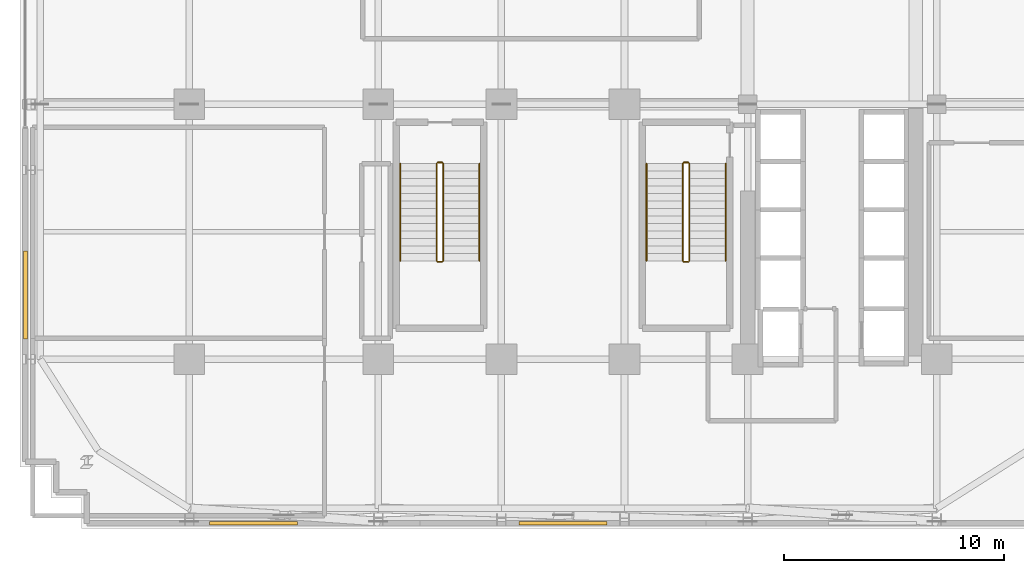
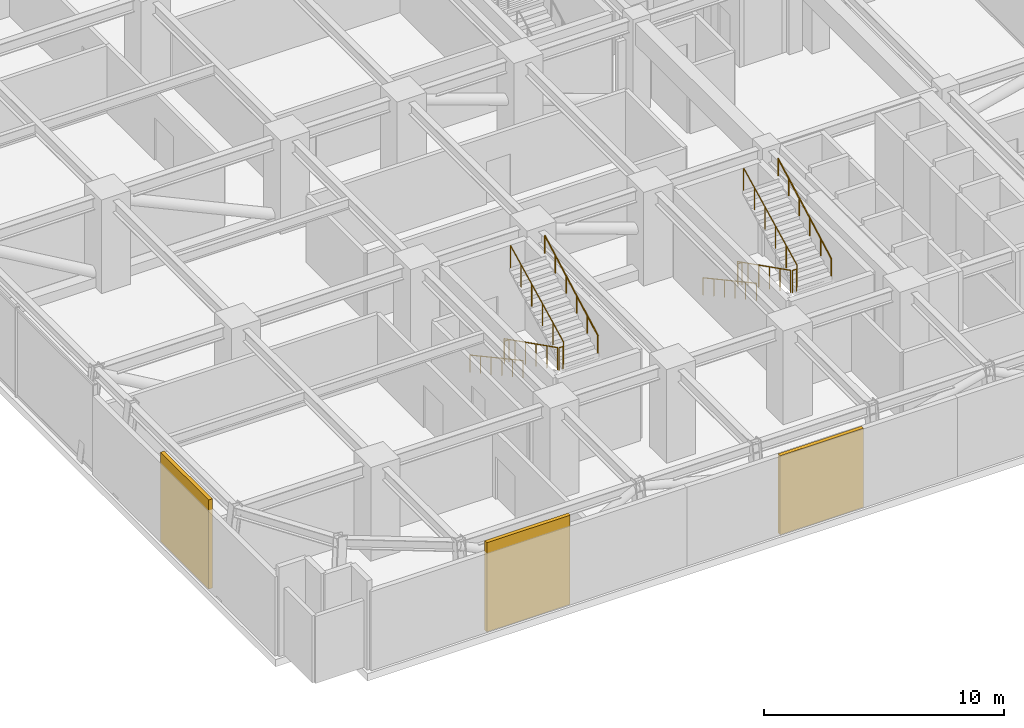
# One storey, part 14 of 17: 12 railings, 3 shading devices.
"""IFC4 building model written with IfcOpenShell, lengths in metres."""

from ifc_helpers import new_model, si_unit, direction, frame, origin, origin_2d, place, context, subcontext, project, spatial, rectangle, circle, extrude, source, transform, mapped, material, layer, layer_set, type_object, element, save


model = new_model("IFC4")

# Units and contexts
model_context = context("Model", 3, precision=1e-05, world=origin(), true_north=direction((0.0, 1.0)))
body_context = subcontext(model_context, "Body", "Model", "MODEL_VIEW")
ifc_project = project(units=[si_unit("LENGTHUNIT", "METRE"), si_unit("AREAUNIT", "SQUARE_METRE"), si_unit("VOLUMEUNIT", "CUBIC_METRE"), si_unit("PLANEANGLEUNIT", "RADIAN"), si_unit("MASSUNIT", "GRAM", prefix="KILO")], contexts=[model_context])

# Site, building, storey
site_placement = place(None, origin())
site = spatial("IfcSite", under=ifc_project, at=site_placement, CompositionType="ELEMENT")
building_placement = place(site_placement, origin())
building = spatial("IfcBuilding", under=site, at=building_placement, Name="Nahalor Promenade Grand Hotel", CompositionType="ELEMENT")
storey_placement = place(building_placement, frame((0.0, 0.0, 83.5)))
storey = spatial("IfcBuildingStorey", under=building, at=storey_placement, Name="L20", CompositionType="ELEMENT", Elevation=83.5)

# Railings
ifc_material_1 = material(Name="Steel S355JR", Category="steel")
railing_type_1 = type_object("IfcRailingType", Name="Steel Stair Guardrail 1150 mm", PredefinedType="GUARDRAIL", material=ifc_material_1)
railing_1_placement = place(storey_placement, frame((5.449951171875, -8.10009765625, 0.17138671875)))
element("IfcRailing", 1, at=railing_1_placement, inside=storey, type_object=railing_type_1, Name="L20 ST2 stair guard 1", PredefinedType="GUARDRAIL", context=body_context, shape_type="SweptSolid", body=[
    extrude(circle(Radius=0.024048, at=origin_2d()), frame((0.0, 0.0, 1.1259765625), z_axis=(0.0, -0.89292277971, 0.450209850486), x_axis=(1.0, 0.0, 0.0)), (0.0, 0.0, 1.0), 4.949951171875),
    extrude(circle(Radius=0.020996, at=origin_2d()), origin(), (0.0, 0.0, 1.0), 1.099853515625),
    extrude(circle(Radius=0.020996, at=origin_2d()), frame((0.0, -0.884033203125, 0.44580078125)), (0.0, 0.0, 1.0), 1.099853515625),
    extrude(circle(Radius=0.020996, at=origin_2d()), frame((0.0, -1.76806640625, 0.891357421875)), (0.0, 0.0, 1.0), 1.099853515625),
    extrude(circle(Radius=0.020996, at=origin_2d()), frame((0.0, -2.65185546875, 1.337158203125)), (0.0, 0.0, 1.0), 1.099853515625),
    extrude(circle(Radius=0.020996, at=origin_2d()), frame((0.0, -3.535888671875, 1.78271484375)), (0.0, 0.0, 1.0), 1.099853515625),
    extrude(circle(Radius=0.020996, at=origin_2d()), frame((0.0, -4.419921875, 2.228515625)), (0.0, 0.0, 1.0), 1.099853515625),
])
railing_2_placement = place(storey_placement, frame((5.5, -12.570068359375, 2.39990234375)))
element("IfcRailing", 2, at=railing_2_placement, inside=storey, type_object=railing_type_1, Name="L20 ST2 stair guard 2", PredefinedType="GUARDRAIL", context=body_context, shape_type="SweptSolid", body=[
    extrude(circle(Radius=0.024048, at=origin_2d()), frame((0.0, 0.0, 1.1259765625), z_axis=(1.0, 0.0, 0.0), x_axis=(0.0, 1.0, 0.0)), (0.0, 0.0, 1.0), 0.199951171875),
    extrude(circle(Radius=0.020996, at=origin_2d()), origin(), (0.0, 0.0, 1.0), 1.099853515625),
    extrude(circle(Radius=0.020996, at=origin_2d()), frame((0.199951171875, 0.0, 0.0)), (0.0, 0.0, 1.0), 1.099853515625),
])
railing_3_placement = place(storey_placement, frame((5.75, -12.52001953125, 2.571533203125)))
element("IfcRailing", 3, at=railing_3_placement, inside=storey, type_object=railing_type_1, Name="L20 ST2 stair guard 3", PredefinedType="GUARDRAIL", context=body_context, shape_type="SweptSolid", body=[
    extrude(circle(Radius=0.024048, at=origin_2d()), frame((0.0, 0.0, 1.1259765625), z_axis=(0.0, 0.89292277971, 0.450209850486), x_axis=(-1.0, 0.0, 0.0)), (0.0, 0.0, 1.0), 4.949951171875),
    extrude(circle(Radius=0.020996, at=origin_2d()), origin(), (0.0, 0.0, 1.0), 1.099853515625),
    extrude(circle(Radius=0.020996, at=origin_2d()), frame((0.0, 0.884033203125, 0.44580078125)), (0.0, 0.0, 1.0), 1.099853515625),
    extrude(circle(Radius=0.020996, at=origin_2d()), frame((0.0, 1.76806640625, 0.891357421875)), (0.0, 0.0, 1.0), 1.099853515625),
    extrude(circle(Radius=0.020996, at=origin_2d()), frame((0.0, 2.65185546875, 1.337158203125)), (0.0, 0.0, 1.0), 1.099853515625),
    extrude(circle(Radius=0.020996, at=origin_2d()), frame((0.0, 3.535888671875, 1.78271484375)), (0.0, 0.0, 1.0), 1.099853515625),
    extrude(circle(Radius=0.020996, at=origin_2d()), frame((0.0, 4.419921875, 2.228515625)), (0.0, 0.0, 1.0), 1.099853515625),
])
railing_4_placement = place(storey_placement, frame((5.5, -8.050048828125, 0.0)))
element("IfcRailing", 4, at=railing_4_placement, inside=storey, type_object=railing_type_1, Name="L20 ST2 stair guard 4", PredefinedType="GUARDRAIL", context=body_context, shape_type="SweptSolid", body=[
    extrude(circle(Radius=0.024048, at=origin_2d()), frame((0.0, 0.0, 1.1259765625), z_axis=(1.0, 0.0, 0.0), x_axis=(0.0, 1.0, 0.0)), (0.0, 0.0, 1.0), 0.199951171875),
    extrude(circle(Radius=0.020996, at=origin_2d()), origin(), (0.0, 0.0, 1.0), 1.099853515625),
    extrude(circle(Radius=0.020996, at=origin_2d()), frame((0.199951171875, 0.0, 0.0)), (0.0, 0.0, 1.0), 1.099853515625),
])
railing_5_placement = place(storey_placement, frame((-5.75, -8.10009765625, 0.17138671875)))
element("IfcRailing", 5, at=railing_5_placement, inside=storey, type_object=railing_type_1, Name="L20 ST3 stair guard 1", PredefinedType="GUARDRAIL", context=body_context, shape_type="SweptSolid", body=[
    extrude(circle(Radius=0.024048, at=origin_2d()), frame((0.0, 0.0, 1.1259765625), z_axis=(0.0, -0.89292277971, 0.450209850486), x_axis=(1.0, 0.0, 0.0)), (0.0, 0.0, 1.0), 4.949951171875),
    extrude(circle(Radius=0.020996, at=origin_2d()), origin(), (0.0, 0.0, 1.0), 1.099853515625),
    extrude(circle(Radius=0.020996, at=origin_2d()), frame((0.0, -0.884033203125, 0.44580078125)), (0.0, 0.0, 1.0), 1.099853515625),
    extrude(circle(Radius=0.020996, at=origin_2d()), frame((0.0, -1.76806640625, 0.891357421875)), (0.0, 0.0, 1.0), 1.099853515625),
    extrude(circle(Radius=0.020996, at=origin_2d()), frame((0.0, -2.65185546875, 1.337158203125)), (0.0, 0.0, 1.0), 1.099853515625),
    extrude(circle(Radius=0.020996, at=origin_2d()), frame((0.0, -3.535888671875, 1.78271484375)), (0.0, 0.0, 1.0), 1.099853515625),
    extrude(circle(Radius=0.020996, at=origin_2d()), frame((0.0, -4.419921875, 2.228515625)), (0.0, 0.0, 1.0), 1.099853515625),
])
railing_6_placement = place(storey_placement, frame((-5.699951171875, -12.570068359375, 2.39990234375)))
element("IfcRailing", 6, at=railing_6_placement, inside=storey, type_object=railing_type_1, Name="L20 ST3 stair guard 2", PredefinedType="GUARDRAIL", context=body_context, shape_type="SweptSolid", body=[
    extrude(circle(Radius=0.024048, at=origin_2d()), frame((0.0, 0.0, 1.1259765625), z_axis=(1.0, 0.0, 0.0), x_axis=(0.0, 1.0, 0.0)), (0.0, 0.0, 1.0), 0.199951171875),
    extrude(circle(Radius=0.020996, at=origin_2d()), origin(), (0.0, 0.0, 1.0), 1.099853515625),
    extrude(circle(Radius=0.020996, at=origin_2d()), frame((0.199951171875, 0.0, 0.0)), (0.0, 0.0, 1.0), 1.099853515625),
])
railing_7_placement = place(storey_placement, frame((-5.449951171875, -12.52001953125, 2.571533203125)))
element("IfcRailing", 7, at=railing_7_placement, inside=storey, type_object=railing_type_1, Name="L20 ST3 stair guard 3", PredefinedType="GUARDRAIL", context=body_context, shape_type="SweptSolid", body=[
    extrude(circle(Radius=0.024048, at=origin_2d()), frame((0.0, 0.0, 1.1259765625), z_axis=(0.0, 0.89292277971, 0.450209850486), x_axis=(-1.0, 0.0, 0.0)), (0.0, 0.0, 1.0), 4.949951171875),
    extrude(circle(Radius=0.020996, at=origin_2d()), origin(), (0.0, 0.0, 1.0), 1.099853515625),
    extrude(circle(Radius=0.020996, at=origin_2d()), frame((0.0, 0.884033203125, 0.44580078125)), (0.0, 0.0, 1.0), 1.099853515625),
    extrude(circle(Radius=0.020996, at=origin_2d()), frame((0.0, 1.76806640625, 0.891357421875)), (0.0, 0.0, 1.0), 1.099853515625),
    extrude(circle(Radius=0.020996, at=origin_2d()), frame((0.0, 2.65185546875, 1.337158203125)), (0.0, 0.0, 1.0), 1.099853515625),
    extrude(circle(Radius=0.020996, at=origin_2d()), frame((0.0, 3.535888671875, 1.78271484375)), (0.0, 0.0, 1.0), 1.099853515625),
    extrude(circle(Radius=0.020996, at=origin_2d()), frame((0.0, 4.419921875, 2.228515625)), (0.0, 0.0, 1.0), 1.099853515625),
])
railing_8_placement = place(storey_placement, frame((-5.699951171875, -8.050048828125, 0.0)))
element("IfcRailing", 8, at=railing_8_placement, inside=storey, type_object=railing_type_1, Name="L20 ST3 stair guard 4", PredefinedType="GUARDRAIL", context=body_context, shape_type="SweptSolid", body=[
    extrude(circle(Radius=0.024048, at=origin_2d()), frame((0.0, 0.0, 1.1259765625), z_axis=(1.0, 0.0, 0.0), x_axis=(0.0, 1.0, 0.0)), (0.0, 0.0, 1.0), 0.199951171875),
    extrude(circle(Radius=0.020996, at=origin_2d()), origin(), (0.0, 0.0, 1.0), 1.099853515625),
    extrude(circle(Radius=0.020996, at=origin_2d()), frame((0.199951171875, 0.0, 0.0)), (0.0, 0.0, 1.0), 1.099853515625),
])
railing_type_2 = type_object("IfcRailingType", Name="Steel Stair Handrail 900 mm", PredefinedType="HANDRAIL", material=ifc_material_1)
railing_9_placement = place(storey_placement, frame((3.800048828125, -8.10009765625, 0.17138671875)))
element("IfcRailing", 9, at=railing_9_placement, inside=storey, type_object=railing_type_2, Name="L20 ST2 stair handrail 1", PredefinedType="HANDRAIL", context=body_context, shape_type="SweptSolid", body=[
    extrude(circle(Radius=0.024048, at=origin_2d()), frame((0.0, 0.0, 0.8759765625), z_axis=(0.0, -0.878790038763, 0.477208620806), x_axis=(1.0, 0.0, 0.0)), (0.0, 0.0, 1.0), 5.029541015625),
    extrude(circle(Radius=0.020996, at=origin_2d()), origin(), (0.0, 0.0, 1.0), 0.849853515625),
    extrude(circle(Radius=0.020996, at=origin_2d()), frame((0.0, -0.884033203125, 0.47998046875)), (0.0, 0.0, 1.0), 0.849853515625),
    extrude(circle(Radius=0.020996, at=origin_2d()), frame((0.0, -1.76806640625, 0.9599609375)), (0.0, 0.0, 1.0), 0.849853515625),
    extrude(circle(Radius=0.020996, at=origin_2d()), frame((0.0, -2.65185546875, 1.440185546875)), (0.0, 0.0, 1.0), 0.849853515625),
    extrude(circle(Radius=0.020996, at=origin_2d()), frame((0.0, -3.535888671875, 1.920166015625)), (0.0, 0.0, 1.0), 0.849853515625),
    extrude(circle(Radius=0.020996, at=origin_2d()), frame((0.0, -4.419921875, 2.400146484375)), (0.0, 0.0, 1.0), 0.849853515625),
])
railing_10_placement = place(storey_placement, frame((7.39990234375, -12.52001953125, 2.571533203125)))
element("IfcRailing", 10, at=railing_10_placement, inside=storey, type_object=railing_type_2, Name="L20 ST2 stair handrail 2", PredefinedType="HANDRAIL", context=body_context, shape_type="SweptSolid", body=[
    extrude(circle(Radius=0.024048, at=origin_2d()), frame((0.0, 0.0, 0.8759765625), z_axis=(0.0, 0.878810394976, 0.477171132491), x_axis=(-1.0, 0.0, 0.0)), (0.0, 0.0, 1.0), 5.029541015625),
    extrude(circle(Radius=0.020996, at=origin_2d()), origin(), (0.0, 0.0, 1.0), 0.849853515625),
    extrude(circle(Radius=0.020996, at=origin_2d()), frame((0.0, 0.884033203125, 0.47998046875)), (0.0, 0.0, 1.0), 0.849853515625),
    extrude(circle(Radius=0.020996, at=origin_2d()), frame((0.0, 1.76806640625, 0.9599609375)), (0.0, 0.0, 1.0), 0.849853515625),
    extrude(circle(Radius=0.020996, at=origin_2d()), frame((0.0, 2.65185546875, 1.43994140625)), (0.0, 0.0, 1.0), 0.849853515625),
    extrude(circle(Radius=0.020996, at=origin_2d()), frame((0.0, 3.535888671875, 1.919921875)), (0.0, 0.0, 1.0), 0.849853515625),
    extrude(circle(Radius=0.020996, at=origin_2d()), frame((0.0, 4.419921875, 2.39990234375)), (0.0, 0.0, 1.0), 0.849853515625),
])
railing_11_placement = place(storey_placement, frame((-7.39990234375, -8.10009765625, 0.17138671875)))
element("IfcRailing", 11, at=railing_11_placement, inside=storey, type_object=railing_type_2, Name="L20 ST3 stair handrail 1", PredefinedType="HANDRAIL", context=body_context, shape_type="SweptSolid", body=[
    extrude(circle(Radius=0.024048, at=origin_2d()), frame((0.0, 0.0, 0.8759765625), z_axis=(0.0, -0.878790038763, 0.477208620806), x_axis=(1.0, 0.0, 0.0)), (0.0, 0.0, 1.0), 5.029541015625),
    extrude(circle(Radius=0.020996, at=origin_2d()), origin(), (0.0, 0.0, 1.0), 0.849853515625),
    extrude(circle(Radius=0.020996, at=origin_2d()), frame((0.0, -0.884033203125, 0.47998046875)), (0.0, 0.0, 1.0), 0.849853515625),
    extrude(circle(Radius=0.020996, at=origin_2d()), frame((0.0, -1.76806640625, 0.9599609375)), (0.0, 0.0, 1.0), 0.849853515625),
    extrude(circle(Radius=0.020996, at=origin_2d()), frame((0.0, -2.65185546875, 1.440185546875)), (0.0, 0.0, 1.0), 0.849853515625),
    extrude(circle(Radius=0.020996, at=origin_2d()), frame((0.0, -3.535888671875, 1.920166015625)), (0.0, 0.0, 1.0), 0.849853515625),
    extrude(circle(Radius=0.020996, at=origin_2d()), frame((0.0, -4.419921875, 2.400146484375)), (0.0, 0.0, 1.0), 0.849853515625),
])
railing_12_placement = place(storey_placement, frame((-3.800048828125, -12.52001953125, 2.571533203125)))
element("IfcRailing", 12, at=railing_12_placement, inside=storey, type_object=railing_type_2, Name="L20 ST3 stair handrail 2", PredefinedType="HANDRAIL", context=body_context, shape_type="SweptSolid", body=[
    extrude(circle(Radius=0.024048, at=origin_2d()), frame((0.0, 0.0, 0.8759765625), z_axis=(0.0, 0.878810394976, 0.477171132491), x_axis=(-1.0, 0.0, 0.0)), (0.0, 0.0, 1.0), 5.029541015625),
    extrude(circle(Radius=0.020996, at=origin_2d()), origin(), (0.0, 0.0, 1.0), 0.849853515625),
    extrude(circle(Radius=0.020996, at=origin_2d()), frame((0.0, 0.884033203125, 0.47998046875)), (0.0, 0.0, 1.0), 0.849853515625),
    extrude(circle(Radius=0.020996, at=origin_2d()), frame((0.0, 1.76806640625, 0.9599609375)), (0.0, 0.0, 1.0), 0.849853515625),
    extrude(circle(Radius=0.020996, at=origin_2d()), frame((0.0, 2.65185546875, 1.43994140625)), (0.0, 0.0, 1.0), 0.849853515625),
    extrude(circle(Radius=0.020996, at=origin_2d()), frame((0.0, 3.535888671875, 1.919921875)), (0.0, 0.0, 1.0), 0.849853515625),
    extrude(circle(Radius=0.020996, at=origin_2d()), frame((0.0, 4.419921875, 2.39990234375)), (0.0, 0.0, 1.0), 0.849853515625),
])

# Shading devices
ifc_material_2 = material(Name="Anodised Bronze Aluminium EN AW-6063 T6", Category="aluminium")
ifc_layer = layer(ifc_material_2, 0.179931640625)
ifc_layer_set = layer_set([ifc_layer], Name="Anodised Bronze Aluminium EN AW-6063 T6")
shading_device_type = type_object("IfcShadingDeviceType", Name="Shade-PlantLouvre-Bronze", PredefinedType="USERDEFINED", material=ifc_layer_set)
shared_shape_1 = source(origin(), body_context, "Body", "SweptSolid", [
    extrude(rectangle(XDim=4.0, YDim=0.179931640625, at=origin_2d()), origin(), (0.0, 0.0, 1.0), 4.530029296875),
])
for number, where, z_axis, x_axis, name in (
    (13, (-14.080078125, -24.4599609375, 0.0), (0.0, 0.0, 1.0), (1.0, 0.0, 0.0), "LV-L20-SL"),
    (14, (-24.4599609375, -14.080078125, 0.0), (0.0, 0.0, 1.0), (0.0, 1.0, 0.0), "LV-L20-WL"),
):
    element("IfcShadingDevice", number, at=place(storey_placement, frame(where, z_axis=z_axis, x_axis=x_axis)), inside=storey, type_object=shading_device_type, Name=name, ObjectType="LOUVRE", PredefinedType="USERDEFINED", context=body_context, shape_type="MappedRepresentation", body=[
        mapped(shared_shape_1, transform((0.0, 0.0, 0.0), scale=1.0)),
    ])
shared_shape_2 = source(origin(), body_context, "Body", "SweptSolid", [
    extrude(rectangle(XDim=4.0, YDim=0.179931640625, at=origin_2d()), origin(), (0.0, 0.0, 1.0), 4.010009765625),
])
shading_device_placement = place(storey_placement, frame((0.0, -24.4599609375, 0.0), z_axis=(0.0, 0.0, 1.0), x_axis=(1.0, 0.0, 0.0)))
element("IfcShadingDevice", 15, at=shading_device_placement, inside=storey, type_object=shading_device_type, Name="LV-L20-SM", ObjectType="LOUVRE", PredefinedType="USERDEFINED", context=body_context, shape_type="MappedRepresentation", body=[
    mapped(shared_shape_2, transform((0.0, 0.0, 0.0), scale=1.0)),
])

save(model, "model.ifc")
